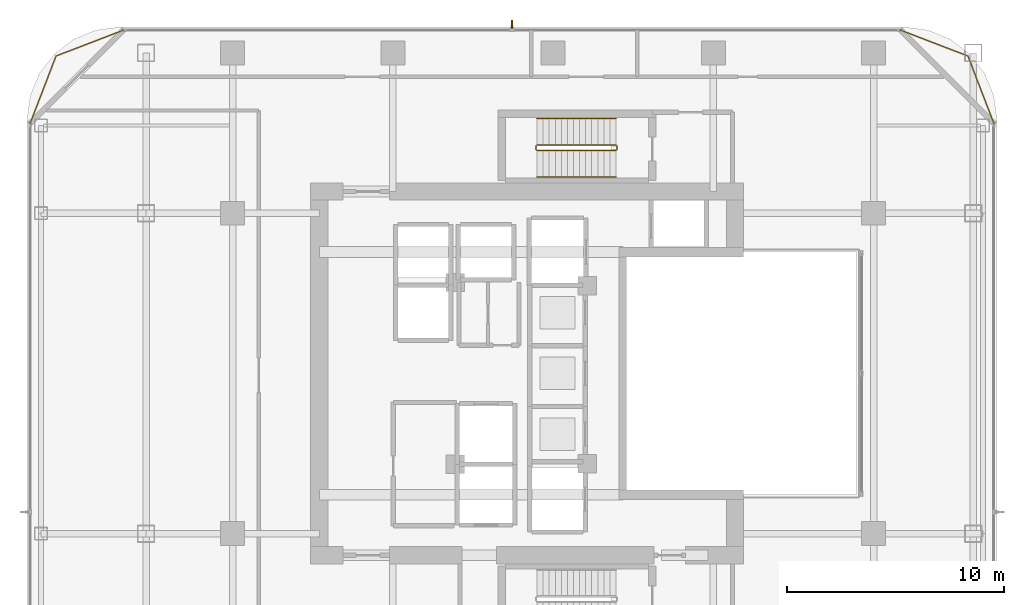
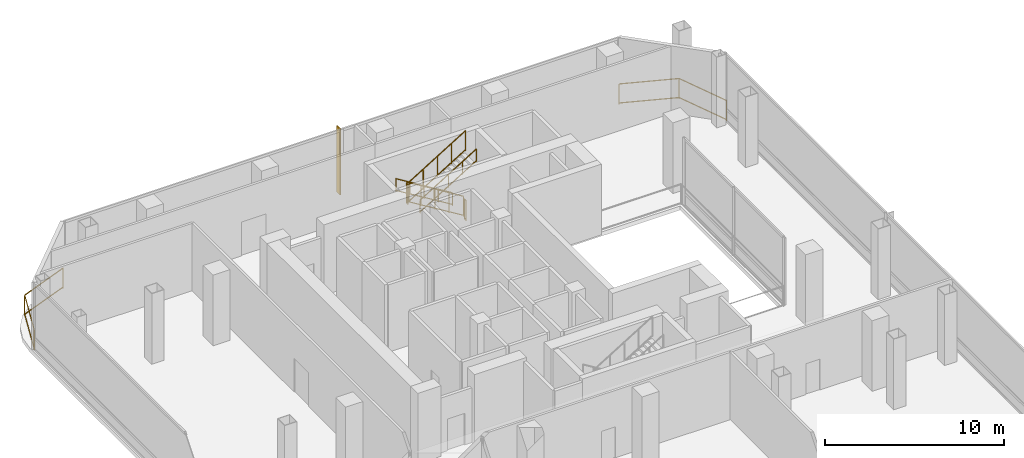
# One storey, part 21 of 22: 8 railings, 1 shading device.
"""IFC4 building model written with IfcOpenShell, lengths in metres."""

from ifc_helpers import new_model, si_unit, direction, frame, origin, origin_2d, place, context, subcontext, project, spatial, rectangle, extrude, material, layer, layer_set, type_object, element, save


model = new_model("IFC4")

# Units and contexts
model_context = context("Model", 3, precision=1e-05, world=origin(), true_north=direction((0.0, 1.0)))
body_context = subcontext(model_context, "Body", "Model", "MODEL_VIEW")
ifc_project = project(units=[si_unit("LENGTHUNIT", "METRE"), si_unit("AREAUNIT", "SQUARE_METRE"), si_unit("VOLUMEUNIT", "CUBIC_METRE"), si_unit("PLANEANGLEUNIT", "RADIAN"), si_unit("MASSUNIT", "GRAM", prefix="KILO")], contexts=[model_context])

# Site, building, storey
site_placement = place(None, origin())
site = spatial("IfcSite", under=ifc_project, at=site_placement, CompositionType="ELEMENT")
building_placement = place(site_placement, origin())
building = spatial("IfcBuilding", under=site, at=building_placement, Name="Khorvyn Point Tower", CompositionType="ELEMENT")
storey_placement = place(building_placement, frame((0.0, 0.0, 210.89990234375)))
storey = spatial("IfcBuildingStorey", under=building, at=storey_placement, Name="L52", CompositionType="ELEMENT", Elevation=210.89990234375)

# Shading device
ifc_material_1 = material(Name="Bronze anodised aluminium 6063-T6", Category="aluminium")
ifc_layer = layer(ifc_material_1, 0.06494140625)
ifc_layer_set = layer_set([ifc_layer], Name="Bronze Anodised Aluminium FIN 380x65")
shading_device_type = type_object("IfcShadingDeviceType", Name="Bronze Anodised Aluminium FIN 380x65", PredefinedType="USERDEFINED", material=ifc_layer_set)
shading_device_placement = place(storey_placement, frame((-1.89990234375, 16.1298828125, 0.0400390625), z_axis=(0.0, 0.0, 1.0), x_axis=(0.0, 1.0, 0.0)))
element("IfcShadingDevice", 1, at=shading_device_placement, inside=storey, type_object=shading_device_type, Name="L52 Anodised FIN 01", ObjectType="FIN", PredefinedType="USERDEFINED", context=body_context, shape_type="SweptSolid", body=[
    extrude(rectangle(XDim=0.3798828125, YDim=0.06494140625, at=origin_2d()), origin(), (0.0, 0.0, 1.0), 4.5),
])

# Railings
ifc_material_2 = material(Name="Anodised aluminium 6063-T6 and laminated safety glass", Category="aluminium")
railing_type_1 = type_object("IfcRailingType", Name="Laminated Glass and Aluminium Balcony Guardrail 1400", PredefinedType="BALUSTRADE", material=ifc_material_2)
railing_1_placement = place(storey_placement, frame((-19.78125, 15.874267578125, 0.0)))
element("IfcRailing", 2, at=railing_1_placement, inside=storey, type_object=railing_type_1, Name="L52 Rounded Corner Edge Guardrail NW", PredefinedType="BALUSTRADE", context=body_context, shape_type="SweptSolid", body=[
    extrude(rectangle(XDim=0.048095703125, YDim=0.048095703125, at=origin_2d()), frame((0.0, 0.0, 1.3759765625), z_axis=(-0.933589651443, -0.358343916815, 0.0), x_axis=(0.358343916815, -0.933589651443, 0.0)), (0.0, 0.0, 1.0), 3.400390625),
    extrude(rectangle(XDim=0.048095703125, YDim=0.048095703125, at=origin_2d()), frame((0.0, 0.0, 0.080078125), z_axis=(-0.933589651443, -0.358343916815, 0.0), x_axis=(0.358343916815, -0.933589651443, 0.0)), (0.0, 0.0, 1.0), 3.400390625),
    extrude(rectangle(XDim=0.048095703125, YDim=0.048095703125, at=origin_2d()), frame((-3.174560546875, -1.218505859375, 1.3759765625), z_axis=(-0.358343916815, -0.933589651443, 0.0), x_axis=(0.933589651443, -0.358343916815, 0.0)), (0.0, 0.0, 1.0), 3.400390625),
    extrude(rectangle(XDim=0.048095703125, YDim=0.048095703125, at=origin_2d()), frame((-3.174560546875, -1.218505859375, 0.080078125), z_axis=(-0.358343916815, -0.933589651443, 0.0), x_axis=(0.933589651443, -0.358343916815, 0.0)), (0.0, 0.0, 1.0), 3.400390625),
    extrude(rectangle(XDim=0.0419921875, YDim=0.0419921875, at=origin_2d()), origin(), (0.0, 0.0, 1.0), 1.351806640625),
    extrude(rectangle(XDim=0.0419921875, YDim=0.0419921875, at=origin_2d()), frame((-3.174560546875, -1.218505859375, 0.0)), (0.0, 0.0, 1.0), 1.351806640625),
    extrude(rectangle(XDim=0.0419921875, YDim=0.0419921875, at=origin_2d()), frame((-4.39306640625, -4.39306640625, 0.0)), (0.0, 0.0, 1.0), 1.351806640625),
])
railing_2_placement = place(storey_placement, frame((20.374267578125, 11.481201171875, 0.0)))
element("IfcRailing", 3, at=railing_2_placement, inside=storey, type_object=railing_type_1, Name="L52 Rounded Corner Edge Guardrail NE", PredefinedType="BALUSTRADE", context=body_context, shape_type="SweptSolid", body=[
    extrude(rectangle(XDim=0.048095703125, YDim=0.048095703125, at=origin_2d()), frame((0.0, 0.0, 1.3759765625), z_axis=(-0.358343916815, 0.933589651443, 0.0), x_axis=(-0.933589651443, -0.358343916815, 0.0)), (0.0, 0.0, 1.0), 3.400390625),
    extrude(rectangle(XDim=0.048095703125, YDim=0.048095703125, at=origin_2d()), frame((0.0, 0.0, 0.080078125), z_axis=(-0.358343916815, 0.933589651443, 0.0), x_axis=(-0.933589651443, -0.358343916815, 0.0)), (0.0, 0.0, 1.0), 3.400390625),
    extrude(rectangle(XDim=0.048095703125, YDim=0.048095703125, at=origin_2d()), frame((-1.218505859375, 3.174560546875, 1.3759765625), z_axis=(-0.933589651443, 0.358343916815, 0.0), x_axis=(-0.358343916815, -0.933589651443, 0.0)), (0.0, 0.0, 1.0), 3.400390625),
    extrude(rectangle(XDim=0.048095703125, YDim=0.048095703125, at=origin_2d()), frame((-1.218505859375, 3.174560546875, 0.080078125), z_axis=(-0.933589651443, 0.358343916815, 0.0), x_axis=(-0.358343916815, -0.933589651443, 0.0)), (0.0, 0.0, 1.0), 3.400390625),
    extrude(rectangle(XDim=0.0419921875, YDim=0.0419921875, at=origin_2d()), origin(), (0.0, 0.0, 1.0), 1.351806640625),
    extrude(rectangle(XDim=0.0419921875, YDim=0.0419921875, at=origin_2d()), frame((-1.218505859375, 3.174560546875, 0.0)), (0.0, 0.0, 1.0), 1.351806640625),
    extrude(rectangle(XDim=0.0419921875, YDim=0.0419921875, at=origin_2d()), frame((-4.39306640625, 4.39306640625, 0.0)), (0.0, 0.0, 1.0), 1.351806640625),
])
ifc_material_3 = material(Name="Stainless steel 1.4301", Category="steel")
railing_type_2 = type_object("IfcRailingType", Name="Stainless Steel 304 Stair Pitch Handrail 900", PredefinedType="HANDRAIL", material=ifc_material_3)
railing_3_placement = place(storey_placement, frame((2.89990234375, 11.77001953125, 0.171630859375)))
element("IfcRailing", 4, at=railing_3_placement, inside=storey, type_object=railing_type_2, Name="L52 ST-02 stair handrail 1", PredefinedType="HANDRAIL", context=body_context, shape_type="SweptSolid", body=[
    extrude(rectangle(XDim=0.048095703125, YDim=0.048095703125, at=origin_2d()), frame((0.0, 0.0, 0.8759765625), z_axis=(-0.852850264322, 0.0, 0.5221555579), x_axis=(0.0, -1.0, 0.0)), (0.0, 0.0, 1.0), 4.267822265625),
    extrude(rectangle(XDim=0.048095703125, YDim=0.048095703125, at=origin_2d()), frame((0.0, 0.0, 0.080078125), z_axis=(-0.852850264322, 0.0, 0.5221555579), x_axis=(0.0, -1.0, 0.0)), (0.0, 0.0, 1.0), 4.267822265625),
    extrude(rectangle(XDim=0.0419921875, YDim=0.0419921875, at=origin_2d()), origin(), (0.0, 0.0, 1.0), 0.851806640625),
    extrude(rectangle(XDim=0.0419921875, YDim=0.0419921875, at=origin_2d()), frame((-0.909912109375, 0.0, 0.55712890625)), (0.0, 0.0, 1.0), 0.851806640625),
    extrude(rectangle(XDim=0.0419921875, YDim=0.0419921875, at=origin_2d()), frame((-1.81982421875, 0.0, 1.1142578125)), (0.0, 0.0, 1.0), 0.851806640625),
    extrude(rectangle(XDim=0.0419921875, YDim=0.0419921875, at=origin_2d()), frame((-2.72998046875, 0.0, 1.67138671875)), (0.0, 0.0, 1.0), 0.851806640625),
    extrude(rectangle(XDim=0.0419921875, YDim=0.0419921875, at=origin_2d()), frame((-3.639892578125, 0.0, 2.228515625)), (0.0, 0.0, 1.0), 0.851806640625),
])
railing_4_placement = place(storey_placement, frame((-0.739990234375, 9.070068359375, 2.571533203125)))
element("IfcRailing", 5, at=railing_4_placement, inside=storey, type_object=railing_type_2, Name="L52 ST-02 stair handrail 2", PredefinedType="HANDRAIL", context=body_context, shape_type="SweptSolid", body=[
    extrude(rectangle(XDim=0.048095703125, YDim=0.048095703125, at=origin_2d()), frame((0.0, 0.0, 0.8759765625), z_axis=(0.852850264322, 0.0, 0.5221555579), x_axis=(0.0, 1.0, 0.0)), (0.0, 0.0, 1.0), 4.267822265625),
    extrude(rectangle(XDim=0.048095703125, YDim=0.048095703125, at=origin_2d()), frame((0.0, 0.0, 0.080078125), z_axis=(0.852850264322, 0.0, 0.5221555579), x_axis=(0.0, 1.0, 0.0)), (0.0, 0.0, 1.0), 4.267822265625),
    extrude(rectangle(XDim=0.0419921875, YDim=0.0419921875, at=origin_2d()), origin(), (0.0, 0.0, 1.0), 0.851806640625),
    extrude(rectangle(XDim=0.0419921875, YDim=0.0419921875, at=origin_2d()), frame((0.909912109375, 0.0, 0.55712890625)), (0.0, 0.0, 1.0), 0.851806640625),
    extrude(rectangle(XDim=0.0419921875, YDim=0.0419921875, at=origin_2d()), frame((1.81982421875, 0.0, 1.1142578125)), (0.0, 0.0, 1.0), 0.851806640625),
    extrude(rectangle(XDim=0.0419921875, YDim=0.0419921875, at=origin_2d()), frame((2.72998046875, 0.0, 1.67138671875)), (0.0, 0.0, 1.0), 0.851806640625),
    extrude(rectangle(XDim=0.0419921875, YDim=0.0419921875, at=origin_2d()), frame((3.639892578125, 0.0, 2.228515625)), (0.0, 0.0, 1.0), 0.851806640625),
])
railing_type_3 = type_object("IfcRailingType", Name="Stainless Steel 304 Stair Well Guardrail 1400", PredefinedType="GUARDRAIL", material=ifc_material_3)
railing_5_placement = place(storey_placement, frame((2.89990234375, 10.550048828125, 0.171630859375)))
element("IfcRailing", 6, at=railing_5_placement, inside=storey, type_object=railing_type_3, Name="L52 ST-02 stair guard 1", PredefinedType="GUARDRAIL", context=body_context, shape_type="SweptSolid", body=[
    extrude(rectangle(XDim=0.048095703125, YDim=0.048095703125, at=origin_2d()), frame((0.0, 0.0, 1.3759765625), z_axis=(-0.852850264322, 0.0, 0.5221555579), x_axis=(0.0, -1.0, 0.0)), (0.0, 0.0, 1.0), 4.267822265625),
    extrude(rectangle(XDim=0.048095703125, YDim=0.048095703125, at=origin_2d()), frame((0.0, 0.0, 0.080078125), z_axis=(-0.852850264322, 0.0, 0.5221555579), x_axis=(0.0, -1.0, 0.0)), (0.0, 0.0, 1.0), 4.267822265625),
    extrude(rectangle(XDim=0.0419921875, YDim=0.0419921875, at=origin_2d()), origin(), (0.0, 0.0, 1.0), 1.351806640625),
    extrude(rectangle(XDim=0.0419921875, YDim=0.0419921875, at=origin_2d()), frame((-0.909912109375, 0.0, 0.55712890625)), (0.0, 0.0, 1.0), 1.351806640625),
    extrude(rectangle(XDim=0.0419921875, YDim=0.0419921875, at=origin_2d()), frame((-1.81982421875, 0.0, 1.1142578125)), (0.0, 0.0, 1.0), 1.351806640625),
    extrude(rectangle(XDim=0.0419921875, YDim=0.0419921875, at=origin_2d()), frame((-2.72998046875, 0.0, 1.67138671875)), (0.0, 0.0, 1.0), 1.351806640625),
    extrude(rectangle(XDim=0.0419921875, YDim=0.0419921875, at=origin_2d()), frame((-3.639892578125, 0.0, 2.228515625)), (0.0, 0.0, 1.0), 1.351806640625),
])
railing_6_placement = place(storey_placement, frame((-0.7900390625, 10.5, 2.400146484375)))
element("IfcRailing", 7, at=railing_6_placement, inside=storey, type_object=railing_type_3, Name="L52 ST-02 stair guard 2", PredefinedType="GUARDRAIL", context=body_context, shape_type="SweptSolid", body=[
    extrude(rectangle(XDim=0.048095703125, YDim=0.048095703125, at=origin_2d()), frame((0.0, 0.0, 1.3759765625), z_axis=(0.0, -1.0, 0.0), x_axis=(1.0, 0.0, 0.0)), (0.0, 0.0, 1.0), 0.159912109375),
    extrude(rectangle(XDim=0.048095703125, YDim=0.048095703125, at=origin_2d()), frame((0.0, 0.0, 0.080078125), z_axis=(0.0, -1.0, 0.0), x_axis=(1.0, 0.0, 0.0)), (0.0, 0.0, 1.0), 0.159912109375),
    extrude(rectangle(XDim=0.0419921875, YDim=0.0419921875, at=origin_2d()), origin(), (0.0, 0.0, 1.0), 1.351806640625),
    extrude(rectangle(XDim=0.0419921875, YDim=0.0419921875, at=origin_2d()), frame((0.0, -0.159912109375, 0.0)), (0.0, 0.0, 1.0), 1.351806640625),
])
railing_7_placement = place(storey_placement, frame((-0.739990234375, 10.2900390625, 2.571533203125)))
element("IfcRailing", 8, at=railing_7_placement, inside=storey, type_object=railing_type_3, Name="L52 ST-02 stair guard 3", PredefinedType="GUARDRAIL", context=body_context, shape_type="SweptSolid", body=[
    extrude(rectangle(XDim=0.048095703125, YDim=0.048095703125, at=origin_2d()), frame((0.0, 0.0, 1.3759765625), z_axis=(0.852850264322, 0.0, 0.5221555579), x_axis=(0.0, 1.0, 0.0)), (0.0, 0.0, 1.0), 4.267822265625),
    extrude(rectangle(XDim=0.048095703125, YDim=0.048095703125, at=origin_2d()), frame((0.0, 0.0, 0.080078125), z_axis=(0.852850264322, 0.0, 0.5221555579), x_axis=(0.0, 1.0, 0.0)), (0.0, 0.0, 1.0), 4.267822265625),
    extrude(rectangle(XDim=0.0419921875, YDim=0.0419921875, at=origin_2d()), origin(), (0.0, 0.0, 1.0), 1.351806640625),
    extrude(rectangle(XDim=0.0419921875, YDim=0.0419921875, at=origin_2d()), frame((0.909912109375, 0.0, 0.55712890625)), (0.0, 0.0, 1.0), 1.351806640625),
    extrude(rectangle(XDim=0.0419921875, YDim=0.0419921875, at=origin_2d()), frame((1.81982421875, 0.0, 1.1142578125)), (0.0, 0.0, 1.0), 1.351806640625),
    extrude(rectangle(XDim=0.0419921875, YDim=0.0419921875, at=origin_2d()), frame((2.72998046875, 0.0, 1.67138671875)), (0.0, 0.0, 1.0), 1.351806640625),
    extrude(rectangle(XDim=0.0419921875, YDim=0.0419921875, at=origin_2d()), frame((3.639892578125, 0.0, 2.228515625)), (0.0, 0.0, 1.0), 1.351806640625),
])
railing_8_placement = place(storey_placement, frame((2.949951171875, 10.5, 0.0)))
element("IfcRailing", 9, at=railing_8_placement, inside=storey, type_object=railing_type_3, Name="L52 ST-02 stair guard 4", PredefinedType="GUARDRAIL", context=body_context, shape_type="SweptSolid", body=[
    extrude(rectangle(XDim=0.048095703125, YDim=0.048095703125, at=origin_2d()), frame((0.0, 0.0, 1.3759765625), z_axis=(0.0, -1.0, 0.0), x_axis=(1.0, 0.0, 0.0)), (0.0, 0.0, 1.0), 0.159912109375),
    extrude(rectangle(XDim=0.048095703125, YDim=0.048095703125, at=origin_2d()), frame((0.0, 0.0, 0.080078125), z_axis=(0.0, -1.0, 0.0), x_axis=(1.0, 0.0, 0.0)), (0.0, 0.0, 1.0), 0.159912109375),
    extrude(rectangle(XDim=0.0419921875, YDim=0.0419921875, at=origin_2d()), origin(), (0.0, 0.0, 1.0), 1.351806640625),
    extrude(rectangle(XDim=0.0419921875, YDim=0.0419921875, at=origin_2d()), frame((0.0, -0.159912109375, 0.0)), (0.0, 0.0, 1.0), 1.351806640625),
])

save(model, "model.ifc")
